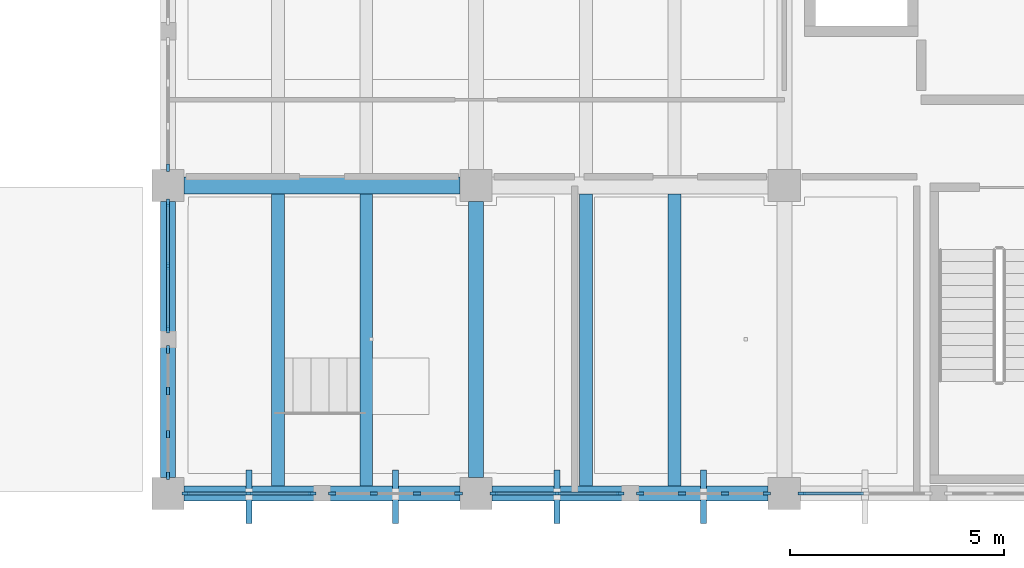
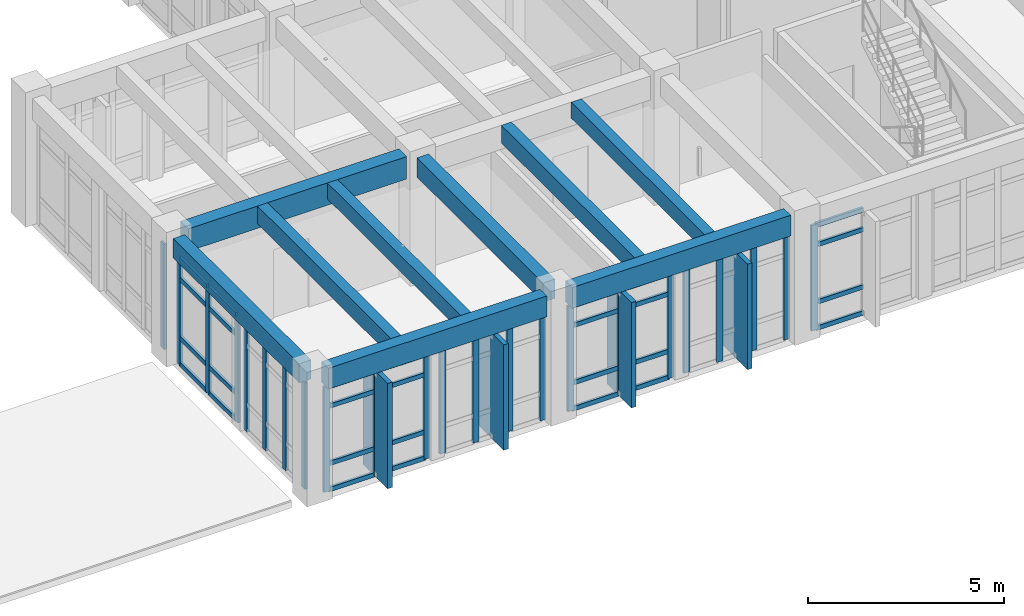
# One storey, part 53 of 136: 55 members, 9 beams, 8 elements without a shape of their own.
"""IFC4 building model written with IfcOpenShell, lengths in metres."""

from ifc_helpers import new_model, si_unit, direction, frame, origin, origin_2d, place, context, subcontext, project, spatial, rectangle, extrude, material, layer, layer_set, material_profile, profile_set, type_object, element, aggregate, save


model = new_model("IFC4")

# Units and contexts
model_context = context("Model", 3, precision=1e-05, world=origin(), true_north=direction((0.0, 1.0)))
body_context = subcontext(model_context, "Body", "Model", "MODEL_VIEW")
ifc_project = project(units=[si_unit("LENGTHUNIT", "METRE"), si_unit("AREAUNIT", "SQUARE_METRE"), si_unit("VOLUMEUNIT", "CUBIC_METRE"), si_unit("PLANEANGLEUNIT", "RADIAN"), si_unit("MASSUNIT", "GRAM", prefix="KILO")], contexts=[model_context])

# Site, building, storey
site_placement = place(None, origin())
site = spatial("IfcSite", under=ifc_project, at=site_placement, CompositionType="ELEMENT")
building_placement = place(site_placement, origin())
building = spatial("IfcBuilding", under=site, at=building_placement, Name="Koriwan Promenade Central Fire Station", CompositionType="ELEMENT")
storey_placement = place(building_placement, frame((0.0, 0.0, 5.39990234375)))
storey = spatial("IfcBuildingStorey", under=building, at=storey_placement, Name="L01", CompositionType="ELEMENT", Elevation=5.39990234375)

# Beams
ifc_material_1 = material(Name="Concrete C35/45", Category="concrete")
ifc_material_profile_1 = material_profile(ifc_material_1, rectangle(XDim=0.300048828125, YDim=0.5, at=origin_2d()), Name="RC-BM-300x500")
ifc_profile_set_1 = profile_set([ifc_material_profile_1], Name="Concrete C35/45")
beam_type_1 = type_object("IfcBeamType", Name="Beam_RC-BM-300x500", PredefinedType="JOIST", material=ifc_profile_set_1)
for number, where, z_axis, x_axis, name in (
    (1, (148.632080078125, 0.175048828125, 3.7001953125), (0.0, 1.0, 0.0), (-1.0, 0.0, 0.0), "V5 L01 secondary joist 701"),
    (2, (155.83203125, 0.175048828125, 3.7001953125), (0.0, 1.0, 0.0), (-1.0, 0.0, 0.0), "V5 L01 secondary joist 703"),
):
    element("IfcBeam", number, at=place(storey_placement, frame(where, z_axis=z_axis, x_axis=x_axis)), inside=storey, type_object=beam_type_1, Name=name, PredefinedType="JOIST", context=body_context, shape_type="SweptSolid", body=[
        extrude(rectangle(XDim=0.300048828125, YDim=0.5, at=origin_2d()), origin(), (0.0, 0.0, 1.0), 6.824951171875),
    ])
ifc_material_profile_2 = material_profile(ifc_material_1, rectangle(XDim=0.300048828125, YDim=0.550048828125, at=origin_2d()), Name="RC-BM-300x550")
ifc_profile_set_2 = profile_set([ifc_material_profile_2], Name="Concrete C35/45")
beam_type_2 = type_object("IfcBeamType", Name="Beam_RC-BM-300x550", PredefinedType="JOIST", material=ifc_profile_set_2)
for number, where, z_axis, x_axis, name in (
    (3, (146.568115234375, 0.175048828125, 3.675048828125), (0.0, 1.0, 0.0), (-1.0, 0.0, 0.0), "V5 L01 secondary joist 700"),
    (4, (153.76806640625, 0.175048828125, 3.675048828125), (0.0, 1.0, 0.0), (-1.0, 0.0, 0.0), "V5 L01 secondary joist 702"),
):
    element("IfcBeam", number, at=place(storey_placement, frame(where, z_axis=z_axis, x_axis=x_axis)), inside=storey, type_object=beam_type_2, Name=name, PredefinedType="JOIST", context=body_context, shape_type="SweptSolid", body=[
        extrude(rectangle(XDim=0.300048828125, YDim=0.550048828125, at=origin_2d()), origin(), (0.0, 0.0, 1.0), 6.824951171875),
    ])
ifc_material_profile_3 = material_profile(ifc_material_1, rectangle(XDim=0.35009765625, YDim=0.60009765625, at=origin_2d()), Name="RC-BM-350x600")
ifc_profile_set_3 = profile_set([ifc_material_profile_3], Name="Concrete C35/45")
beam_type_3 = type_object("IfcBeamType", Name="Beam_RC-BM-350x600", PredefinedType="BEAM", material=ifc_profile_set_3)
for number, where, z_axis, x_axis, name in (
    (5, (144.0, 0.375, 3.650146484375), (0.0, 1.0, 0.0), (-1.0, 0.0, 0.0), "V5 L01 girder Y-658"),
    (6, (151.199951171875, 0.375, 3.650146484375), (0.0, 1.0, 0.0), (-1.0, 0.0, 0.0), "V5 L01 girder Y-660"),
):
    element("IfcBeam", number, at=place(storey_placement, frame(where, z_axis=z_axis, x_axis=x_axis)), inside=storey, type_object=beam_type_3, Name=name, PredefinedType="BEAM", context=body_context, shape_type="SweptSolid", body=[
        extrude(rectangle(XDim=0.35009765625, YDim=0.60009765625, at=origin_2d()), origin(), (0.0, 0.0, 1.0), 6.449951171875),
    ])
ifc_material_profile_4 = material_profile(ifc_material_1, rectangle(XDim=0.39990234375, YDim=0.699951171875, at=origin_2d()), Name="RC-BM-400x700")
ifc_profile_set_4 = profile_set([ifc_material_profile_4], Name="Concrete C35/45")
beam_type_4 = type_object("IfcBeamType", Name="Beam_RC-BM-400x700", PredefinedType="BEAM", material=ifc_profile_set_4)
beam_placement = place(storey_placement, frame((144.375, 7.199951171875, 3.60009765625), z_axis=(1.0, 0.0, 0.0), x_axis=(0.0, 1.0, 0.0)))
element("IfcBeam", 7, at=beam_placement, inside=storey, type_object=beam_type_4, Name="V5 L01 girder X-628", PredefinedType="BEAM", context=body_context, shape_type="SweptSolid", body=[
    extrude(rectangle(XDim=0.39990234375, YDim=0.699951171875, at=origin_2d()), origin(), (0.0, 0.0, 1.0), 6.449951171875),
])
ifc_material_profile_5 = material_profile(ifc_material_1, rectangle(XDim=0.35009765625, YDim=0.64990234375, at=origin_2d()), Name="RC-SP-350x650")
ifc_profile_set_5 = profile_set([ifc_material_profile_5], Name="Concrete C35/45")
beam_type_5 = type_object("IfcBeamType", Name="Beam_RC-SP-350x650", PredefinedType="SPANDREL", material=ifc_profile_set_5)
for number, where, z_axis, x_axis, name in (
    (8, (144.375, 0.0, 3.625), (1.0, 0.0, 0.0), (0.0, 1.0, 0.0), "V5 L01 girder X-624"),
    (9, (151.574951171875, 0.0, 3.625), (1.0, 0.0, 0.0), (0.0, 1.0, 0.0), "V5 L01 girder X-625"),
):
    element("IfcBeam", number, at=place(storey_placement, frame(where, z_axis=z_axis, x_axis=x_axis)), inside=storey, type_object=beam_type_5, Name=name, PredefinedType="SPANDREL", context=body_context, shape_type="SweptSolid", body=[
        extrude(rectangle(XDim=0.35009765625, YDim=0.64990234375, at=origin_2d()), origin(), (0.0, 0.0, 1.0), 6.449951171875),
    ])

# Curtain wall, member
ifc_material_2 = material(Name="Aluminium EN AW-6063-T6 and low-E glazing", Category="aluminium")
ifc_layer_1 = layer(ifc_material_2, 0.159912109375, Name="Aluminium EN AW-6063-T6 and low-E glazing")
ifc_layer_set_1 = layer_set([ifc_layer_1], Name="Aluminium EN AW-6063-T6 and low-E glazing")
curtain_wall_type_1 = type_object("IfcCurtainWallType", Name="CurtainWall_08_303x329", PredefinedType="USERDEFINED", material=ifc_layer_set_1)
curtain_wall_1_placement = place(storey_placement, origin())
curtain_wall_1 = element("IfcCurtainWall", 10, at=curtain_wall_1_placement, inside=storey, type_object=curtain_wall_type_1, Name="V5 L01 unitised curtain wall 164", ObjectType="UNITISED CURTAIN WALL", PredefinedType="USERDEFINED")
ifc_material_3 = material(Name="Aluminium EN AW-6063-T6", Category="aluminium")
ifc_material_profile_6 = material_profile(ifc_material_3, rectangle(XDim=0.074951171875, YDim=0.179931640625, at=origin_2d()), Name="ALU-MUL-75x180")
ifc_profile_set_6 = profile_set([ifc_material_profile_6], Name="Aluminium EN AW-6063-T6")
member_type_1 = type_object("IfcMemberType", Name="CWMullion_ALU-MUL-75x180", PredefinedType="MULLION", material=ifc_profile_set_6)
member_1_placement = place(storey_placement, frame((158.8125, 0.0, 0.0), z_axis=(0.0, 0.0, 1.0), x_axis=(0.0, -1.0, 0.0)))
member_1 = element("IfcMember", 11, at=member_1_placement, type_object=member_type_1, Name="CW-08 mullion 3", PredefinedType="MULLION", context=body_context, shape_type="SweptSolid", body=[
    extrude(rectangle(XDim=0.074951171875, YDim=0.179931640625, at=origin_2d()), origin(), (0.0, 0.0, 1.0), 3.2900390625),
])

# Curtain wall, members
ifc_layer_2 = layer(ifc_material_2, 0.159912109375, Name="Aluminium EN AW-6063-T6 and low-E glazing")
ifc_layer_set_2 = layer_set([ifc_layer_2], Name="Aluminium EN AW-6063-T6 and low-E glazing")
curtain_wall_type_2 = type_object("IfcCurtainWallType", Name="CurtainWall_61_303x329", PredefinedType="USERDEFINED", material=ifc_layer_set_2)
curtain_wall_2_placement = place(storey_placement, origin())
curtain_wall_2 = element("IfcCurtainWall", 12, at=curtain_wall_2_placement, inside=storey, type_object=curtain_wall_type_2, Name="V5 L01 unitised curtain wall 165", ObjectType="UNITISED CURTAIN WALL", PredefinedType="USERDEFINED")
member_2_placement = place(storey_placement, frame((157.987548828125, 0.0, 0.0), z_axis=(0.0, 0.0, 1.0), x_axis=(0.0, -1.0, 0.0)))
member_2 = element("IfcMember", 13, at=member_2_placement, type_object=member_type_1, Name="CW-61 mullion 1", PredefinedType="MULLION", context=body_context, shape_type="SweptSolid", body=[
    extrude(rectangle(XDim=0.074951171875, YDim=0.179931640625, at=origin_2d()), origin(), (0.0, 0.0, 1.0), 3.2900390625),
])
member_3_placement = place(storey_placement, frame((157.0166015625, 0.0, 0.0), z_axis=(0.0, 0.0, 1.0), x_axis=(0.0, -1.0, 0.0)))
member_3 = element("IfcMember", 14, at=member_3_placement, type_object=member_type_1, Name="CW-61 mullion 2", PredefinedType="MULLION", context=body_context, shape_type="SweptSolid", body=[
    extrude(rectangle(XDim=0.074951171875, YDim=0.179931640625, at=origin_2d()), origin(), (0.0, 0.0, 1.0), 3.2900390625),
])
member_4_placement = place(storey_placement, frame((156.00830078125, 0.0, 0.0), z_axis=(0.0, 0.0, 1.0), x_axis=(0.0, -1.0, 0.0)))
member_4 = element("IfcMember", 15, at=member_4_placement, type_object=member_type_1, Name="CW-61 mullion 3", PredefinedType="MULLION", context=body_context, shape_type="SweptSolid", body=[
    extrude(rectangle(XDim=0.074951171875, YDim=0.179931640625, at=origin_2d()), origin(), (0.0, 0.0, 1.0), 3.2900390625),
])
member_5_placement = place(storey_placement, frame((155.03759765625, 0.0, 0.0), z_axis=(0.0, 0.0, 1.0), x_axis=(0.0, -1.0, 0.0)))
member_5 = element("IfcMember", 16, at=member_5_placement, type_object=member_type_1, Name="CW-61 mullion 4", PredefinedType="MULLION", context=body_context, shape_type="SweptSolid", body=[
    extrude(rectangle(XDim=0.074951171875, YDim=0.179931640625, at=origin_2d()), origin(), (0.0, 0.0, 1.0), 3.2900390625),
])
aggregate(curtain_wall_2, [member_2, member_3, member_4, member_5])

curtain_wall_3_placement = place(storey_placement, origin())
curtain_wall_3 = element("IfcCurtainWall", 17, at=curtain_wall_3_placement, inside=storey, type_object=curtain_wall_type_1, Name="V5 L01 unitised curtain wall 166", ObjectType="UNITISED CURTAIN WALL", PredefinedType="USERDEFINED")
member_6_placement = place(storey_placement, frame((154.5625, 0.0, 0.0), z_axis=(0.0, 0.0, 1.0), x_axis=(0.0, -1.0, 0.0)))
member_6 = element("IfcMember", 18, at=member_6_placement, type_object=member_type_1, Name="CW-08 mullion 1", PredefinedType="MULLION", context=body_context, shape_type="SweptSolid", body=[
    extrude(rectangle(XDim=0.074951171875, YDim=0.179931640625, at=origin_2d()), origin(), (0.0, 0.0, 1.0), 3.2900390625),
])
member_7_placement = place(storey_placement, frame((153.08740234375, 0.0, 0.0), z_axis=(0.0, 0.0, 1.0), x_axis=(0.0, -1.0, 0.0)))
member_7 = element("IfcMember", 19, at=member_7_placement, type_object=member_type_1, Name="CW-08 mullion 2", PredefinedType="MULLION", context=body_context, shape_type="SweptSolid", body=[
    extrude(rectangle(XDim=0.074951171875, YDim=0.179931640625, at=origin_2d()), origin(), (0.0, 0.0, 1.0), 3.2900390625),
])
member_8_placement = place(storey_placement, frame((151.612548828125, 0.0, 0.0), z_axis=(0.0, 0.0, 1.0), x_axis=(0.0, -1.0, 0.0)))
member_8 = element("IfcMember", 20, at=member_8_placement, type_object=member_type_1, Name="CW-08 mullion 3", PredefinedType="MULLION", context=body_context, shape_type="SweptSolid", body=[
    extrude(rectangle(XDim=0.074951171875, YDim=0.179931640625, at=origin_2d()), origin(), (0.0, 0.0, 1.0), 3.2900390625),
])

ifc_layer_3 = layer(ifc_material_2, 0.159912109375, Name="Aluminium EN AW-6063-T6 and low-E glazing")
ifc_layer_set_3 = layer_set([ifc_layer_3], Name="Aluminium EN AW-6063-T6 and low-E glazing")
curtain_wall_type_3 = type_object("IfcCurtainWallType", Name="CurtainWall_62_302x329", PredefinedType="USERDEFINED", material=ifc_layer_set_3)
curtain_wall_4_placement = place(storey_placement, origin())
curtain_wall_4 = element("IfcCurtainWall", 21, at=curtain_wall_4_placement, inside=storey, type_object=curtain_wall_type_3, Name="V5 L01 unitised curtain wall 167", ObjectType="UNITISED CURTAIN WALL", PredefinedType="USERDEFINED")
member_9_placement = place(storey_placement, frame((150.78759765625, 0.0, 0.0), z_axis=(0.0, 0.0, 1.0), x_axis=(0.0, -1.0, 0.0)))
member_9 = element("IfcMember", 22, at=member_9_placement, type_object=member_type_1, Name="CW-62 mullion 1", PredefinedType="MULLION", context=body_context, shape_type="SweptSolid", body=[
    extrude(rectangle(XDim=0.074951171875, YDim=0.179931640625, at=origin_2d()), origin(), (0.0, 0.0, 1.0), 3.2900390625),
])
member_10_placement = place(storey_placement, frame((149.816650390625, 0.0, 0.0), z_axis=(0.0, 0.0, 1.0), x_axis=(0.0, -1.0, 0.0)))
member_10 = element("IfcMember", 23, at=member_10_placement, type_object=member_type_1, Name="CW-62 mullion 2", PredefinedType="MULLION", context=body_context, shape_type="SweptSolid", body=[
    extrude(rectangle(XDim=0.074951171875, YDim=0.179931640625, at=origin_2d()), origin(), (0.0, 0.0, 1.0), 3.2900390625),
])
member_11_placement = place(storey_placement, frame((148.808349609375, 0.0, 0.0), z_axis=(0.0, 0.0, 1.0), x_axis=(0.0, -1.0, 0.0)))
member_11 = element("IfcMember", 24, at=member_11_placement, type_object=member_type_1, Name="CW-62 mullion 3", PredefinedType="MULLION", context=body_context, shape_type="SweptSolid", body=[
    extrude(rectangle(XDim=0.074951171875, YDim=0.179931640625, at=origin_2d()), origin(), (0.0, 0.0, 1.0), 3.2900390625),
])
member_12_placement = place(storey_placement, frame((147.83740234375, 0.0, 0.0), z_axis=(0.0, 0.0, 1.0), x_axis=(0.0, -1.0, 0.0)))
member_12 = element("IfcMember", 25, at=member_12_placement, type_object=member_type_1, Name="CW-62 mullion 4", PredefinedType="MULLION", context=body_context, shape_type="SweptSolid", body=[
    extrude(rectangle(XDim=0.074951171875, YDim=0.179931640625, at=origin_2d()), origin(), (0.0, 0.0, 1.0), 3.2900390625),
])
aggregate(curtain_wall_4, [member_9, member_10, member_11, member_12])

curtain_wall_5_placement = place(storey_placement, origin())
curtain_wall_5 = element("IfcCurtainWall", 26, at=curtain_wall_5_placement, inside=storey, type_object=curtain_wall_type_1, Name="V5 L01 unitised curtain wall 168", ObjectType="UNITISED CURTAIN WALL", PredefinedType="USERDEFINED")
member_13_placement = place(storey_placement, frame((147.362548828125, 0.0, 0.0), z_axis=(0.0, 0.0, 1.0), x_axis=(0.0, -1.0, 0.0)))
member_13 = element("IfcMember", 27, at=member_13_placement, type_object=member_type_1, Name="CW-08 mullion 1", PredefinedType="MULLION", context=body_context, shape_type="SweptSolid", body=[
    extrude(rectangle(XDim=0.074951171875, YDim=0.179931640625, at=origin_2d()), origin(), (0.0, 0.0, 1.0), 3.2900390625),
])
member_14_placement = place(storey_placement, frame((145.887451171875, 0.0, 0.0), z_axis=(0.0, 0.0, 1.0), x_axis=(0.0, -1.0, 0.0)))
member_14 = element("IfcMember", 28, at=member_14_placement, type_object=member_type_1, Name="CW-08 mullion 2", PredefinedType="MULLION", context=body_context, shape_type="SweptSolid", body=[
    extrude(rectangle(XDim=0.074951171875, YDim=0.179931640625, at=origin_2d()), origin(), (0.0, 0.0, 1.0), 3.2900390625),
])
member_15_placement = place(storey_placement, frame((144.41259765625, 0.0, 0.0), z_axis=(0.0, 0.0, 1.0), x_axis=(0.0, -1.0, 0.0)))
member_15 = element("IfcMember", 29, at=member_15_placement, type_object=member_type_1, Name="CW-08 mullion 3", PredefinedType="MULLION", context=body_context, shape_type="SweptSolid", body=[
    extrude(rectangle(XDim=0.074951171875, YDim=0.179931640625, at=origin_2d()), origin(), (0.0, 0.0, 1.0), 3.2900390625),
])

ifc_layer_4 = layer(ifc_material_2, 0.159912109375, Name="Aluminium EN AW-6063-T6 and low-E glazing")
ifc_layer_set_4 = layer_set([ifc_layer_4], Name="Aluminium EN AW-6063-T6 and low-E glazing")
curtain_wall_type_4 = type_object("IfcCurtainWallType", Name="CurtainWall_63_302x334", PredefinedType="USERDEFINED", material=ifc_layer_set_4)
curtain_wall_6_placement = place(storey_placement, origin())
curtain_wall_6 = element("IfcCurtainWall", 30, at=curtain_wall_6_placement, inside=storey, type_object=curtain_wall_type_4, Name="V5 L01 unitised curtain wall 169", ObjectType="UNITISED CURTAIN WALL", PredefinedType="USERDEFINED")
member_16_placement = place(storey_placement, frame((144.0, 0.41259765625, 0.0), z_axis=(0.0, 0.0, 1.0), x_axis=(-1.0, 0.0, 0.0)))
member_16 = element("IfcMember", 31, at=member_16_placement, type_object=member_type_1, Name="CW-63 mullion 1", PredefinedType="MULLION", context=body_context, shape_type="SweptSolid", body=[
    extrude(rectangle(XDim=0.074951171875, YDim=0.179931640625, at=origin_2d()), origin(), (0.0, 0.0, 1.0), 3.340087890625),
])
member_17_placement = place(storey_placement, frame((144.0, 1.38330078125, 0.0), z_axis=(0.0, 0.0, 1.0), x_axis=(-1.0, 0.0, 0.0)))
member_17 = element("IfcMember", 32, at=member_17_placement, type_object=member_type_1, Name="CW-63 mullion 2", PredefinedType="MULLION", context=body_context, shape_type="SweptSolid", body=[
    extrude(rectangle(XDim=0.074951171875, YDim=0.179931640625, at=origin_2d()), origin(), (0.0, 0.0, 1.0), 3.340087890625),
])
member_18_placement = place(storey_placement, frame((144.0, 2.3916015625, 0.0), z_axis=(0.0, 0.0, 1.0), x_axis=(-1.0, 0.0, 0.0)))
member_18 = element("IfcMember", 33, at=member_18_placement, type_object=member_type_1, Name="CW-63 mullion 3", PredefinedType="MULLION", context=body_context, shape_type="SweptSolid", body=[
    extrude(rectangle(XDim=0.074951171875, YDim=0.179931640625, at=origin_2d()), origin(), (0.0, 0.0, 1.0), 3.340087890625),
])
member_19_placement = place(storey_placement, frame((144.0, 3.362548828125, 0.0), z_axis=(0.0, 0.0, 1.0), x_axis=(-1.0, 0.0, 0.0)))
member_19 = element("IfcMember", 34, at=member_19_placement, type_object=member_type_1, Name="CW-63 mullion 4", PredefinedType="MULLION", context=body_context, shape_type="SweptSolid", body=[
    extrude(rectangle(XDim=0.074951171875, YDim=0.179931640625, at=origin_2d()), origin(), (0.0, 0.0, 1.0), 3.340087890625),
])
aggregate(curtain_wall_6, [member_16, member_17, member_18, member_19])

ifc_layer_5 = layer(ifc_material_2, 0.159912109375, Name="Aluminium EN AW-6063-T6 and low-E glazing")
ifc_layer_set_5 = layer_set([ifc_layer_5], Name="Aluminium EN AW-6063-T6 and low-E glazing")
curtain_wall_type_5 = type_object("IfcCurtainWallType", Name="CurtainWall_64_303x334", PredefinedType="USERDEFINED", material=ifc_layer_set_5)
curtain_wall_7_placement = place(storey_placement, origin())
curtain_wall_7 = element("IfcCurtainWall", 35, at=curtain_wall_7_placement, inside=storey, type_object=curtain_wall_type_5, Name="V5 L01 unitised curtain wall 170", ObjectType="UNITISED CURTAIN WALL", PredefinedType="USERDEFINED")
member_20_placement = place(storey_placement, frame((144.0, 3.83740234375, 0.0), z_axis=(0.0, 0.0, 1.0), x_axis=(-1.0, 0.0, 0.0)))
member_20 = element("IfcMember", 36, at=member_20_placement, type_object=member_type_1, Name="CW-64 mullion 1", PredefinedType="MULLION", context=body_context, shape_type="SweptSolid", body=[
    extrude(rectangle(XDim=0.074951171875, YDim=0.179931640625, at=origin_2d()), origin(), (0.0, 0.0, 1.0), 3.340087890625),
])
member_21_placement = place(storey_placement, frame((144.0, 5.3125, 0.0), z_axis=(0.0, 0.0, 1.0), x_axis=(-1.0, 0.0, 0.0)))
member_21 = element("IfcMember", 37, at=member_21_placement, type_object=member_type_1, Name="CW-64 mullion 2", PredefinedType="MULLION", context=body_context, shape_type="SweptSolid", body=[
    extrude(rectangle(XDim=0.074951171875, YDim=0.179931640625, at=origin_2d()), origin(), (0.0, 0.0, 1.0), 3.340087890625),
])
member_22_placement = place(storey_placement, frame((144.0, 6.78759765625, 0.0), z_axis=(0.0, 0.0, 1.0), x_axis=(-1.0, 0.0, 0.0)))
member_22 = element("IfcMember", 38, at=member_22_placement, type_object=member_type_1, Name="CW-64 mullion 3", PredefinedType="MULLION", context=body_context, shape_type="SweptSolid", body=[
    extrude(rectangle(XDim=0.074951171875, YDim=0.179931640625, at=origin_2d()), origin(), (0.0, 0.0, 1.0), 3.340087890625),
])

# Curtain wall, member
curtain_wall_8_placement = place(storey_placement, origin())
curtain_wall_8 = element("IfcCurtainWall", 39, at=curtain_wall_8_placement, inside=storey, type_object=curtain_wall_type_3, Name="V5 L01 unitised curtain wall 171", ObjectType="UNITISED CURTAIN WALL", PredefinedType="USERDEFINED")
member_23_placement = place(storey_placement, frame((144.0, 7.612548828125, 0.0), z_axis=(0.0, 0.0, 1.0), x_axis=(-1.0, 0.0, 0.0)))
member_23 = element("IfcMember", 40, at=member_23_placement, type_object=member_type_1, Name="CW-62 mullion 1", PredefinedType="MULLION", context=body_context, shape_type="SweptSolid", body=[
    extrude(rectangle(XDim=0.074951171875, YDim=0.179931640625, at=origin_2d()), origin(), (0.0, 0.0, 1.0), 3.2900390625),
])
aggregate(curtain_wall_8, [member_23])

# Member
ifc_material_profile_7 = material_profile(ifc_material_3, rectangle(XDim=0.074951171875, YDim=0.139892578125, at=origin_2d()), Name="ALU-TRN-75x140")
ifc_profile_set_7 = profile_set([ifc_material_profile_7], Name="Aluminium EN AW-6063-T6")
member_type_2 = type_object("IfcMemberType", Name="CWTransom_ALU-TRN-75x140", PredefinedType="USERDEFINED", material=ifc_profile_set_7)
member_24_placement = place(storey_placement, frame((160.25, 0.0, 0.03759765625), z_axis=(-1.0, 0.0, 0.0), x_axis=(0.0, -1.0, 0.0)))
member_24 = element("IfcMember", 41, at=member_24_placement, type_object=member_type_2, Name="CW-08 transom 2.1", ObjectType="TRANSOM", PredefinedType="USERDEFINED", context=body_context, shape_type="SweptSolid", body=[
    extrude(rectangle(XDim=0.074951171875, YDim=0.139892578125, at=origin_2d()), origin(), (0.0, 0.0, 1.0), 1.39990234375),
])

member_25_placement = place(storey_placement, frame((160.25, 0.0, 0.85009765625), z_axis=(-1.0, 0.0, 0.0), x_axis=(0.0, -1.0, 0.0)))
member_25 = element("IfcMember", 42, at=member_25_placement, type_object=member_type_2, Name="CW-08 transom 2.2", ObjectType="TRANSOM", PredefinedType="USERDEFINED", context=body_context, shape_type="SweptSolid", body=[
    extrude(rectangle(XDim=0.074951171875, YDim=0.139892578125, at=origin_2d()), origin(), (0.0, 0.0, 1.0), 1.39990234375),
])

member_26_placement = place(storey_placement, frame((160.25, 0.0, 2.64013671875), z_axis=(-1.0, 0.0, 0.0), x_axis=(0.0, -1.0, 0.0)))
member_26 = element("IfcMember", 43, at=member_26_placement, type_object=member_type_2, Name="CW-08 transom 2.3", ObjectType="TRANSOM", PredefinedType="USERDEFINED", context=body_context, shape_type="SweptSolid", body=[
    extrude(rectangle(XDim=0.074951171875, YDim=0.139892578125, at=origin_2d()), origin(), (0.0, 0.0, 1.0), 1.39990234375),
])

member_27_placement = place(storey_placement, frame((160.25, 0.0, 3.252685546875), z_axis=(-1.0, 0.0, 0.0), x_axis=(0.0, -1.0, 0.0)))
member_27 = element("IfcMember", 44, at=member_27_placement, type_object=member_type_2, Name="CW-08 transom 2.4", ObjectType="TRANSOM", PredefinedType="USERDEFINED", context=body_context, shape_type="SweptSolid", body=[
    extrude(rectangle(XDim=0.074951171875, YDim=0.139892578125, at=origin_2d()), origin(), (0.0, 0.0, 1.0), 1.39990234375),
])

aggregate(curtain_wall_1, [member_1, member_24, member_25, member_26, member_27])

member_28_placement = place(storey_placement, frame((154.52490234375, 0.0, 0.03759765625), z_axis=(-1.0, 0.0, 0.0), x_axis=(0.0, -1.0, 0.0)))
member_28 = element("IfcMember", 45, at=member_28_placement, type_object=member_type_2, Name="CW-08 transom 1.1", ObjectType="TRANSOM", PredefinedType="USERDEFINED", context=body_context, shape_type="SweptSolid", body=[
    extrude(rectangle(XDim=0.074951171875, YDim=0.139892578125, at=origin_2d()), origin(), (0.0, 0.0, 1.0), 1.39990234375),
])

member_29_placement = place(storey_placement, frame((154.52490234375, 0.0, 0.85009765625), z_axis=(-1.0, 0.0, 0.0), x_axis=(0.0, -1.0, 0.0)))
member_29 = element("IfcMember", 46, at=member_29_placement, type_object=member_type_2, Name="CW-08 transom 1.2", ObjectType="TRANSOM", PredefinedType="USERDEFINED", context=body_context, shape_type="SweptSolid", body=[
    extrude(rectangle(XDim=0.074951171875, YDim=0.139892578125, at=origin_2d()), origin(), (0.0, 0.0, 1.0), 1.39990234375),
])

member_30_placement = place(storey_placement, frame((154.52490234375, 0.0, 2.64013671875), z_axis=(-1.0, 0.0, 0.0), x_axis=(0.0, -1.0, 0.0)))
member_30 = element("IfcMember", 47, at=member_30_placement, type_object=member_type_2, Name="CW-08 transom 1.3", ObjectType="TRANSOM", PredefinedType="USERDEFINED", context=body_context, shape_type="SweptSolid", body=[
    extrude(rectangle(XDim=0.074951171875, YDim=0.139892578125, at=origin_2d()), origin(), (0.0, 0.0, 1.0), 1.39990234375),
])

member_31_placement = place(storey_placement, frame((154.52490234375, 0.0, 3.252685546875), z_axis=(-1.0, 0.0, 0.0), x_axis=(0.0, -1.0, 0.0)))
member_31 = element("IfcMember", 48, at=member_31_placement, type_object=member_type_2, Name="CW-08 transom 1.4", ObjectType="TRANSOM", PredefinedType="USERDEFINED", context=body_context, shape_type="SweptSolid", body=[
    extrude(rectangle(XDim=0.074951171875, YDim=0.139892578125, at=origin_2d()), origin(), (0.0, 0.0, 1.0), 1.39990234375),
])

member_32_placement = place(storey_placement, frame((153.050048828125, 0.0, 0.03759765625), z_axis=(-1.0, 0.0, 0.0), x_axis=(0.0, -1.0, 0.0)))
member_32 = element("IfcMember", 49, at=member_32_placement, type_object=member_type_2, Name="CW-08 transom 2.1", ObjectType="TRANSOM", PredefinedType="USERDEFINED", context=body_context, shape_type="SweptSolid", body=[
    extrude(rectangle(XDim=0.074951171875, YDim=0.139892578125, at=origin_2d()), origin(), (0.0, 0.0, 1.0), 1.400146484375),
])

member_33_placement = place(storey_placement, frame((153.050048828125, 0.0, 0.85009765625), z_axis=(-1.0, 0.0, 0.0), x_axis=(0.0, -1.0, 0.0)))
member_33 = element("IfcMember", 50, at=member_33_placement, type_object=member_type_2, Name="CW-08 transom 2.2", ObjectType="TRANSOM", PredefinedType="USERDEFINED", context=body_context, shape_type="SweptSolid", body=[
    extrude(rectangle(XDim=0.074951171875, YDim=0.139892578125, at=origin_2d()), origin(), (0.0, 0.0, 1.0), 1.400146484375),
])

member_34_placement = place(storey_placement, frame((153.050048828125, 0.0, 2.64013671875), z_axis=(-1.0, 0.0, 0.0), x_axis=(0.0, -1.0, 0.0)))
member_34 = element("IfcMember", 51, at=member_34_placement, type_object=member_type_2, Name="CW-08 transom 2.3", ObjectType="TRANSOM", PredefinedType="USERDEFINED", context=body_context, shape_type="SweptSolid", body=[
    extrude(rectangle(XDim=0.074951171875, YDim=0.139892578125, at=origin_2d()), origin(), (0.0, 0.0, 1.0), 1.400146484375),
])

member_35_placement = place(storey_placement, frame((153.050048828125, 0.0, 3.252685546875), z_axis=(-1.0, 0.0, 0.0), x_axis=(0.0, -1.0, 0.0)))
member_35 = element("IfcMember", 52, at=member_35_placement, type_object=member_type_2, Name="CW-08 transom 2.4", ObjectType="TRANSOM", PredefinedType="USERDEFINED", context=body_context, shape_type="SweptSolid", body=[
    extrude(rectangle(XDim=0.074951171875, YDim=0.139892578125, at=origin_2d()), origin(), (0.0, 0.0, 1.0), 1.400146484375),
])

aggregate(curtain_wall_3, [member_6, member_7, member_8, member_28, member_29, member_30, member_31, member_32, member_33, member_34, member_35])

member_36_placement = place(storey_placement, frame((147.324951171875, 0.0, 0.03759765625), z_axis=(-1.0, 0.0, 0.0), x_axis=(0.0, -1.0, 0.0)))
member_36 = element("IfcMember", 53, at=member_36_placement, type_object=member_type_2, Name="CW-08 transom 1.1", ObjectType="TRANSOM", PredefinedType="USERDEFINED", context=body_context, shape_type="SweptSolid", body=[
    extrude(rectangle(XDim=0.074951171875, YDim=0.139892578125, at=origin_2d()), origin(), (0.0, 0.0, 1.0), 1.39990234375),
])

member_37_placement = place(storey_placement, frame((147.324951171875, 0.0, 0.85009765625), z_axis=(-1.0, 0.0, 0.0), x_axis=(0.0, -1.0, 0.0)))
member_37 = element("IfcMember", 54, at=member_37_placement, type_object=member_type_2, Name="CW-08 transom 1.2", ObjectType="TRANSOM", PredefinedType="USERDEFINED", context=body_context, shape_type="SweptSolid", body=[
    extrude(rectangle(XDim=0.074951171875, YDim=0.139892578125, at=origin_2d()), origin(), (0.0, 0.0, 1.0), 1.39990234375),
])

member_38_placement = place(storey_placement, frame((147.324951171875, 0.0, 2.64013671875), z_axis=(-1.0, 0.0, 0.0), x_axis=(0.0, -1.0, 0.0)))
member_38 = element("IfcMember", 55, at=member_38_placement, type_object=member_type_2, Name="CW-08 transom 1.3", ObjectType="TRANSOM", PredefinedType="USERDEFINED", context=body_context, shape_type="SweptSolid", body=[
    extrude(rectangle(XDim=0.074951171875, YDim=0.139892578125, at=origin_2d()), origin(), (0.0, 0.0, 1.0), 1.39990234375),
])

member_39_placement = place(storey_placement, frame((147.324951171875, 0.0, 3.252685546875), z_axis=(-1.0, 0.0, 0.0), x_axis=(0.0, -1.0, 0.0)))
member_39 = element("IfcMember", 56, at=member_39_placement, type_object=member_type_2, Name="CW-08 transom 1.4", ObjectType="TRANSOM", PredefinedType="USERDEFINED", context=body_context, shape_type="SweptSolid", body=[
    extrude(rectangle(XDim=0.074951171875, YDim=0.139892578125, at=origin_2d()), origin(), (0.0, 0.0, 1.0), 1.39990234375),
])

member_40_placement = place(storey_placement, frame((145.85009765625, 0.0, 0.03759765625), z_axis=(-1.0, 0.0, 0.0), x_axis=(0.0, -1.0, 0.0)))
member_40 = element("IfcMember", 57, at=member_40_placement, type_object=member_type_2, Name="CW-08 transom 2.1", ObjectType="TRANSOM", PredefinedType="USERDEFINED", context=body_context, shape_type="SweptSolid", body=[
    extrude(rectangle(XDim=0.074951171875, YDim=0.139892578125, at=origin_2d()), origin(), (0.0, 0.0, 1.0), 1.400146484375),
])

member_41_placement = place(storey_placement, frame((145.85009765625, 0.0, 0.85009765625), z_axis=(-1.0, 0.0, 0.0), x_axis=(0.0, -1.0, 0.0)))
member_41 = element("IfcMember", 58, at=member_41_placement, type_object=member_type_2, Name="CW-08 transom 2.2", ObjectType="TRANSOM", PredefinedType="USERDEFINED", context=body_context, shape_type="SweptSolid", body=[
    extrude(rectangle(XDim=0.074951171875, YDim=0.139892578125, at=origin_2d()), origin(), (0.0, 0.0, 1.0), 1.400146484375),
])

member_42_placement = place(storey_placement, frame((145.85009765625, 0.0, 2.64013671875), z_axis=(-1.0, 0.0, 0.0), x_axis=(0.0, -1.0, 0.0)))
member_42 = element("IfcMember", 59, at=member_42_placement, type_object=member_type_2, Name="CW-08 transom 2.3", ObjectType="TRANSOM", PredefinedType="USERDEFINED", context=body_context, shape_type="SweptSolid", body=[
    extrude(rectangle(XDim=0.074951171875, YDim=0.139892578125, at=origin_2d()), origin(), (0.0, 0.0, 1.0), 1.400146484375),
])

member_43_placement = place(storey_placement, frame((145.85009765625, 0.0, 3.252685546875), z_axis=(-1.0, 0.0, 0.0), x_axis=(0.0, -1.0, 0.0)))
member_43 = element("IfcMember", 60, at=member_43_placement, type_object=member_type_2, Name="CW-08 transom 2.4", ObjectType="TRANSOM", PredefinedType="USERDEFINED", context=body_context, shape_type="SweptSolid", body=[
    extrude(rectangle(XDim=0.074951171875, YDim=0.139892578125, at=origin_2d()), origin(), (0.0, 0.0, 1.0), 1.400146484375),
])

aggregate(curtain_wall_5, [member_13, member_14, member_15, member_36, member_37, member_38, member_39, member_40, member_41, member_42, member_43])

member_44_placement = place(storey_placement, frame((144.0, 3.875, 0.03759765625), z_axis=(0.0, 1.0, 0.0), x_axis=(-1.0, 0.0, 0.0)))
member_44 = element("IfcMember", 61, at=member_44_placement, type_object=member_type_2, Name="CW-64 transom 1.1", ObjectType="TRANSOM", PredefinedType="USERDEFINED", context=body_context, shape_type="SweptSolid", body=[
    extrude(rectangle(XDim=0.074951171875, YDim=0.139892578125, at=origin_2d()), origin(), (0.0, 0.0, 1.0), 1.39990234375),
])

member_45_placement = place(storey_placement, frame((144.0, 3.875, 0.85009765625), z_axis=(0.0, 1.0, 0.0), x_axis=(-1.0, 0.0, 0.0)))
member_45 = element("IfcMember", 62, at=member_45_placement, type_object=member_type_2, Name="CW-64 transom 1.2", ObjectType="TRANSOM", PredefinedType="USERDEFINED", context=body_context, shape_type="SweptSolid", body=[
    extrude(rectangle(XDim=0.074951171875, YDim=0.139892578125, at=origin_2d()), origin(), (0.0, 0.0, 1.0), 1.39990234375),
])

member_46_placement = place(storey_placement, frame((144.0, 3.875, 2.690185546875), z_axis=(0.0, 1.0, 0.0), x_axis=(-1.0, 0.0, 0.0)))
member_46 = element("IfcMember", 63, at=member_46_placement, type_object=member_type_2, Name="CW-64 transom 1.3", ObjectType="TRANSOM", PredefinedType="USERDEFINED", context=body_context, shape_type="SweptSolid", body=[
    extrude(rectangle(XDim=0.074951171875, YDim=0.139892578125, at=origin_2d()), origin(), (0.0, 0.0, 1.0), 1.39990234375),
])

member_47_placement = place(storey_placement, frame((144.0, 3.875, 3.302490234375), z_axis=(0.0, 1.0, 0.0), x_axis=(-1.0, 0.0, 0.0)))
member_47 = element("IfcMember", 64, at=member_47_placement, type_object=member_type_2, Name="CW-64 transom 1.4", ObjectType="TRANSOM", PredefinedType="USERDEFINED", context=body_context, shape_type="SweptSolid", body=[
    extrude(rectangle(XDim=0.074951171875, YDim=0.139892578125, at=origin_2d()), origin(), (0.0, 0.0, 1.0), 1.39990234375),
])

member_48_placement = place(storey_placement, frame((144.0, 5.35009765625, 0.03759765625), z_axis=(0.0, 1.0, 0.0), x_axis=(-1.0, 0.0, 0.0)))
member_48 = element("IfcMember", 65, at=member_48_placement, type_object=member_type_2, Name="CW-64 transom 2.1", ObjectType="TRANSOM", PredefinedType="USERDEFINED", context=body_context, shape_type="SweptSolid", body=[
    extrude(rectangle(XDim=0.074951171875, YDim=0.139892578125, at=origin_2d()), origin(), (0.0, 0.0, 1.0), 1.39990234375),
])

member_49_placement = place(storey_placement, frame((144.0, 5.35009765625, 0.85009765625), z_axis=(0.0, 1.0, 0.0), x_axis=(-1.0, 0.0, 0.0)))
member_49 = element("IfcMember", 66, at=member_49_placement, type_object=member_type_2, Name="CW-64 transom 2.2", ObjectType="TRANSOM", PredefinedType="USERDEFINED", context=body_context, shape_type="SweptSolid", body=[
    extrude(rectangle(XDim=0.074951171875, YDim=0.139892578125, at=origin_2d()), origin(), (0.0, 0.0, 1.0), 1.39990234375),
])

member_50_placement = place(storey_placement, frame((144.0, 5.35009765625, 2.690185546875), z_axis=(0.0, 1.0, 0.0), x_axis=(-1.0, 0.0, 0.0)))
member_50 = element("IfcMember", 67, at=member_50_placement, type_object=member_type_2, Name="CW-64 transom 2.3", ObjectType="TRANSOM", PredefinedType="USERDEFINED", context=body_context, shape_type="SweptSolid", body=[
    extrude(rectangle(XDim=0.074951171875, YDim=0.139892578125, at=origin_2d()), origin(), (0.0, 0.0, 1.0), 1.39990234375),
])

member_51_placement = place(storey_placement, frame((144.0, 5.35009765625, 3.302490234375), z_axis=(0.0, 1.0, 0.0), x_axis=(-1.0, 0.0, 0.0)))
member_51 = element("IfcMember", 68, at=member_51_placement, type_object=member_type_2, Name="CW-64 transom 2.4", ObjectType="TRANSOM", PredefinedType="USERDEFINED", context=body_context, shape_type="SweptSolid", body=[
    extrude(rectangle(XDim=0.074951171875, YDim=0.139892578125, at=origin_2d()), origin(), (0.0, 0.0, 1.0), 1.39990234375),
])

aggregate(curtain_wall_7, [member_20, member_21, member_22, member_44, member_45, member_46, member_47, member_48, member_49, member_50, member_51])

# Members
ifc_material_4 = material(Name="Aluminium EN AW-6063-T6 terracotta finish", Category="masonry")
ifc_material_profile_8 = material_profile(ifc_material_4, rectangle(XDim=0.139892578125, YDim=1.25, at=origin_2d()), Name="FIN-TRC-140x1250")
ifc_profile_set_8 = profile_set([ifc_material_profile_8], Name="Aluminium EN AW-6063-T6 terracotta finish")
member_type_3 = type_object("IfcMemberType", Name="SolarFin_FIN-TRC-140x1250", PredefinedType="USERDEFINED", material=ifc_profile_set_8)
for number, where, z_axis, x_axis, name in (
    (69, (156.512451171875, -0.074951171875, 0.0), (0.0, 0.0, 1.0), (-1.0, 0.0, 0.0), "V5 L01 terracotta solar fin 033"),
    (70, (153.08740234375, -0.074951171875, 0.0), (0.0, 0.0, 1.0), (-1.0, 0.0, 0.0), "V5 L01 terracotta solar fin 034"),
    (71, (149.3125, -0.074951171875, 0.0), (0.0, 0.0, 1.0), (-1.0, 0.0, 0.0), "V5 L01 terracotta solar fin 035"),
    (72, (145.887451171875, -0.074951171875, 0.0), (0.0, 0.0, 1.0), (-1.0, 0.0, 0.0), "V5 L01 terracotta solar fin 036"),
):
    element("IfcMember", number, at=place(storey_placement, frame(where, z_axis=z_axis, x_axis=x_axis)), inside=storey, type_object=member_type_3, Name=name, ObjectType="SOLAR FIN", PredefinedType="USERDEFINED", context=body_context, shape_type="SweptSolid", body=[
        extrude(rectangle(XDim=0.139892578125, YDim=1.25, at=origin_2d()), origin(), (0.0, 0.0, 1.0), 3.2900390625),
    ])

save(model, "model.ifc")
